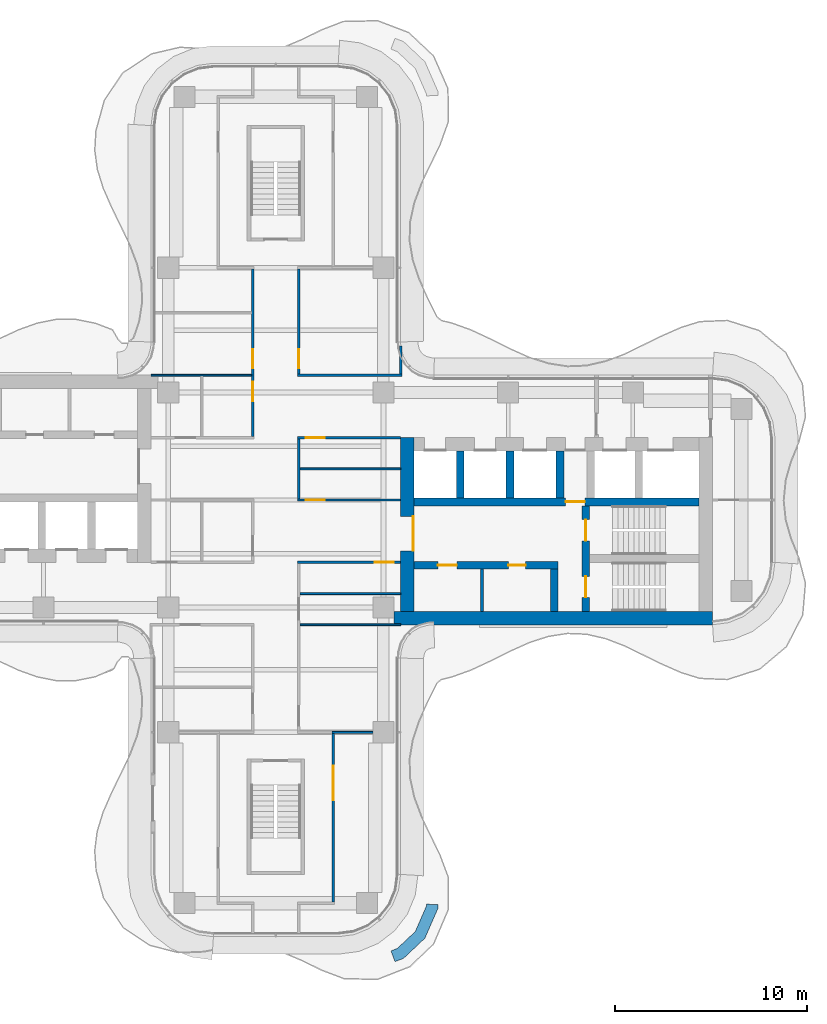
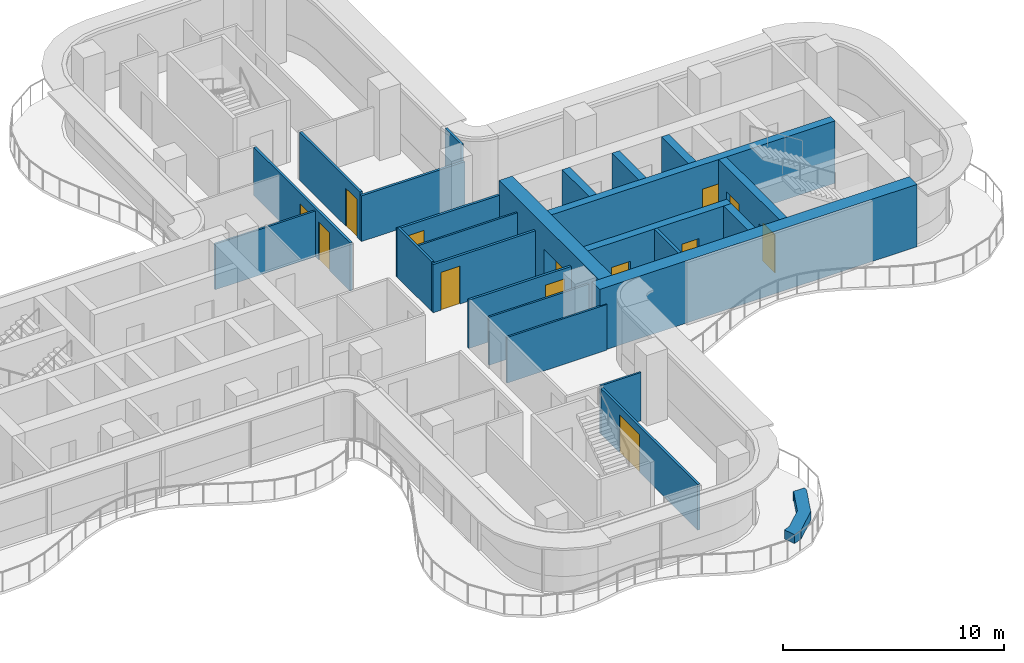
# One storey, part 12 of 16: 25 walls, 13 doors, 13 openings.
"""IFC4 building model written with IfcOpenShell, lengths in metres."""

from ifc_helpers import new_model, si_unit, direction, frame, frame_2d, origin, place, context, subcontext, project, spatial, polyline, rectangle, outline, extrude, source, transform, mapped, material, layer, layer_set, type_object, element, fill, save


model = new_model("IFC4")

# Units and contexts
model_context = context("Model", 3, precision=1e-05, world=origin(), true_north=direction((0.0, 1.0)))
body_context = subcontext(model_context, "Body", "Model", "MODEL_VIEW")
ifc_project = project(units=[si_unit("LENGTHUNIT", "METRE"), si_unit("AREAUNIT", "SQUARE_METRE"), si_unit("VOLUMEUNIT", "CUBIC_METRE"), si_unit("PLANEANGLEUNIT", "RADIAN"), si_unit("MASSUNIT", "GRAM", prefix="KILO")], contexts=[model_context])

# Site, building, storey
site_placement = place(None, origin())
site = spatial("IfcSite", under=ifc_project, at=site_placement, CompositionType="ELEMENT")
building_placement = place(site_placement, origin())
building = spatial("IfcBuilding", under=site, at=building_placement, Name="Trellis Farm Tower", CompositionType="ELEMENT")
storey_placement = place(building_placement, frame((0.0, 0.0, 267.5)))
storey = spatial("IfcBuildingStorey", under=building, at=storey_placement, Name="L60", CompositionType="ELEMENT", Elevation=267.5)

# Wall
ifc_material_1 = material(Name="Sandstone faced masonry planter", Category="masonry")
ifc_layer_1 = layer(ifc_material_1, 0.60009765625)
ifc_layer_set_1 = layer_set([ifc_layer_1], Name="PLANTER BED 600")
wall_type_1 = type_object("IfcWallType", Name="PLANTER BED 600", PredefinedType="USERDEFINED", material=ifc_layer_set_1)
wall_1_placement = place(storey_placement, origin())
element("IfcWall", 1, at=wall_1_placement, inside=storey, type_object=wall_type_1, Name="PLANTER bed", ObjectType="PLANTER", PredefinedType="USERDEFINED", context=body_context, shape_type="SweptSolid", body=[
    extrude(outline(polyline([(7.76513671875, -22.828857421875), (6.65087890625, -23.87939453125), (6.210205078125, -24.047119140625), (5.996826171875, -23.486328125), (6.325927734375, -23.361083984375), (7.264404296875, -22.476318359375), (7.848876953125, -21.14208984375), (7.84912109375, -21.05712890625), (8.448974609375, -21.058349609375), (8.448486328125, -21.268310546875), (7.76513671875, -22.828857421875)])), origin(), (0.0, 0.0, 1.0), 0.5),
])

# Wall, opening, door
ifc_material_2 = material(Name="Concrete C60/75", Category="concrete")
ifc_layer_2 = layer(ifc_material_2, 0.699951171875)
ifc_layer_set_2 = layer_set([ifc_layer_2], Name="CORE OUTER WALL 700 CONCRETE C60/75")
wall_type_2 = type_object("IfcWallType", Name="CORE OUTER WALL 700 CONCRETE C60/75", PredefinedType="SHEAR", material=ifc_layer_set_2)
shared_shape_1 = source(origin(), body_context, "Body", "SweptSolid", [
    extrude(rectangle(XDim=9.050048828125, YDim=0.699951171875, at=frame_2d((4.52490234375, 0.0))), origin(), (0.0, 0.0, 1.0), 3.449951171875),
])
wall_2_placement = place(storey_placement, frame((6.85009765625, -5.800048828125, 0.0), z_axis=(0.0, 0.0, 1.0), x_axis=(0.0, 1.0, 0.0)))
wall_2 = element("IfcWall", 2, at=wall_2_placement, inside=storey, type_object=wall_type_2, Name="Core wall", PredefinedType="SHEAR", context=body_context, shape_type="MappedRepresentation", body=[
    mapped(shared_shape_1, transform((0.0, 0.0, 0.0))),
])
shared_shape_2 = source(origin(), body_context, "Body", "SweptSolid", [
    extrude(rectangle(XDim=1.800048828125, YDim=2.10009765625, at=frame_2d((0.89990234375, 1.050048828125))), frame((0.0, 0.360107421875, 0.0), z_axis=(0.0, -1.0, 0.0), x_axis=(1.0, 0.0, 0.0)), (0.0, 0.0, 1.0), 0.72021484375),
])
opening_1_placement = place(wall_2_placement, frame((3.14990234375, 0.0, 0.0)))
opening_1 = element("IfcOpeningElement", 3, at=opening_1_placement, cuts=wall_2, Name="Opening DC1", PredefinedType="OPENING", context=body_context, shape_type="MappedRepresentation", body=[
    mapped(shared_shape_2, transform((0.0, 0.0, 0.0))),
])
ifc_material_3 = material(Name="Steel", Category="steel")
door_type_1 = type_object("IfcDoorType", Name="CORE FIRE DOOR DOUBLE 1800 X 2100", OperationType="DOUBLE_DOOR_SINGLE_SWING", PredefinedType="DOOR", material=ifc_material_3)
shared_shape_3 = source(origin(), body_context, "Body", "SweptSolid", [
    extrude(rectangle(XDim=1.800048828125, YDim=2.10009765625, at=frame_2d((0.89990234375, 1.050048828125))), frame((0.0, -0.27490234375, 0.0), z_axis=(0.0, -1.0, 0.0), x_axis=(1.0, 0.0, 0.0)), (0.0, 0.0, 1.0), 0.050048828125),
])
door_1_placement = place(opening_1_placement, origin())
door_1 = element("IfcDoor", 4, at=door_1_placement, inside=storey, type_object=door_type_1, Name="Core door", OperationType="DOUBLE_DOOR_SINGLE_SWING", OverallHeight=2.10009765625, OverallWidth=1.800048828125, PredefinedType="DOOR", context=body_context, shape_type="MappedRepresentation", body=[
    mapped(shared_shape_3, transform((0.0, 0.0, 0.0))),
])
fill(opening_1, door_1)

# Walls
ifc_layer_3 = layer(ifc_material_2, 0.39990234375)
ifc_layer_set_3 = layer_set([ifc_layer_3], Name="CORE INNER WALL 400 CONCRETE C60/75")
wall_type_3 = type_object("IfcWallType", Name="CORE INNER WALL 400 CONCRETE C60/75", PredefinedType="SHEAR", material=ifc_layer_set_3)
shared_shape_4 = source(origin(), body_context, "Body", "SweptSolid", [
    extrude(rectangle(XDim=2.449951171875, YDim=0.39990234375, at=frame_2d((1.22509765625, 0.0))), origin(), (0.0, 0.0, 1.0), 3.449951171875),
])
for number, where, z_axis, x_axis, name in (
    (5, (9.60009765625, 0.10009765625, 0.0), (0.0, 0.0, 1.0), (0.0, 1.0, 0.0), "Core wall"),
    (6, (12.199951171875, 0.10009765625, 0.0), (0.0, 0.0, 1.0), (0.0, 1.0, 0.0), "Core wall"),
    (7, (14.800048828125, 0.10009765625, 0.0), (0.0, 0.0, 1.0), (0.0, 1.0, 0.0), "Core wall"),
):
    element("IfcWall", number, at=place(storey_placement, frame(where, z_axis=z_axis, x_axis=x_axis)), inside=storey, type_object=wall_type_3, Name=name, PredefinedType="SHEAR", context=body_context, shape_type="MappedRepresentation", body=[
        mapped(shared_shape_4, transform((0.0, 0.0, 0.0))),
    ])

# Wall, openings, doors
shared_shape_5 = source(origin(), body_context, "Body", "SweptSolid", [
    extrude(rectangle(XDim=7.5, YDim=0.39990234375, at=frame_2d((3.75, 0.0))), origin(), (0.0, 0.0, 1.0), 3.449951171875),
])
wall_3_placement = place(storey_placement, frame((7.199951171875, -3.39990234375, 0.0), z_axis=(0.0, 0.0, 1.0), x_axis=(1.0, 0.0, 0.0)))
wall_3 = element("IfcWall", 8, at=wall_3_placement, inside=storey, type_object=wall_type_3, Name="Core wall", PredefinedType="SHEAR", context=body_context, shape_type="MappedRepresentation", body=[
    mapped(shared_shape_5, transform((0.0, 0.0, 0.0))),
])
shared_shape_6 = source(origin(), body_context, "Body", "SweptSolid", [
    extrude(rectangle(XDim=1.0, YDim=2.10009765625, at=frame_2d((0.5, 1.050048828125))), frame((0.0, 0.2099609375, 0.0), z_axis=(0.0, -1.0, 0.0), x_axis=(1.0, 0.0, 0.0)), (0.0, 0.0, 1.0), 0.419921875),
])
opening_2_placement = place(wall_3_placement, frame((1.237548828125, 0.0, 0.0)))
opening_2 = element("IfcOpeningElement", 9, at=opening_2_placement, cuts=wall_3, Name="Opening DC55", PredefinedType="OPENING", context=body_context, shape_type="MappedRepresentation", body=[
    mapped(shared_shape_6, transform((0.0, 0.0, 0.0))),
])
shared_shape_7 = source(origin(), body_context, "Body", "SweptSolid", [
    extrude(rectangle(XDim=0.89990234375, YDim=2.10009765625, at=frame_2d((0.449951171875, 1.050048828125))), frame((0.0, 0.2099609375, 0.0), z_axis=(0.0, -1.0, 0.0), x_axis=(1.0, 0.0, 0.0)), (0.0, 0.0, 1.0), 0.419921875),
])
opening_3_placement = place(wall_3_placement, frame((4.91259765625, 0.0, 0.0)))
opening_3 = element("IfcOpeningElement", 10, at=opening_3_placement, cuts=wall_3, Name="Opening DC60", PredefinedType="OPENING", context=body_context, shape_type="MappedRepresentation", body=[
    mapped(shared_shape_7, transform((0.0, 0.0, 0.0))),
])
door_type_2 = type_object("IfcDoorType", Name="CORE FIRE DOOR 1000 X 2100", OperationType="NOTDEFINED", PredefinedType="DOOR", material=ifc_material_3)
shared_shape_8 = source(origin(), body_context, "Body", "SweptSolid", [
    extrude(rectangle(XDim=1.0, YDim=2.10009765625, at=frame_2d((0.5, 1.050048828125))), frame((0.0, 0.02490234375, 0.0), z_axis=(0.0, -1.0, 0.0), x_axis=(1.0, 0.0, 0.0)), (0.0, 0.0, 1.0), 0.050048828125),
])
door_2_placement = place(opening_2_placement, origin())
door_2 = element("IfcDoor", 11, at=door_2_placement, inside=storey, type_object=door_type_2, Name="Core door", OperationType="SINGLE_SWING_LEFT", OverallHeight=2.10009765625, OverallWidth=1.0, PredefinedType="DOOR", context=body_context, shape_type="MappedRepresentation", body=[
    mapped(shared_shape_8, transform((0.0, 0.0, 0.0))),
])
fill(opening_2, door_2)
door_type_3 = type_object("IfcDoorType", Name="CORE FIRE DOOR 900 X 2100", OperationType="NOTDEFINED", PredefinedType="DOOR", material=ifc_material_3)
shared_shape_9 = source(origin(), body_context, "Body", "SweptSolid", [
    extrude(rectangle(XDim=0.89990234375, YDim=2.10009765625, at=frame_2d((0.449951171875, 1.050048828125))), frame((0.0, 0.02490234375, 0.0), z_axis=(0.0, -1.0, 0.0), x_axis=(1.0, 0.0, 0.0)), (0.0, 0.0, 1.0), 0.050048828125),
])
door_3_placement = place(opening_3_placement, origin())
door_3 = element("IfcDoor", 12, at=door_3_placement, inside=storey, type_object=door_type_3, Name="Core door", OperationType="SINGLE_SWING_RIGHT", OverallHeight=2.10009765625, OverallWidth=0.89990234375, PredefinedType="DOOR", context=body_context, shape_type="MappedRepresentation", body=[
    mapped(shared_shape_9, transform((0.0, 0.0, 0.0))),
])
fill(opening_3, door_3)

# Wall, opening, door
shared_shape_10 = source(origin(), body_context, "Body", "SweptSolid", [
    extrude(rectangle(XDim=14.85009765625, YDim=0.39990234375, at=frame_2d((7.425048828125, 0.0))), origin(), (0.0, 0.0, 1.0), 3.449951171875),
])
wall_4_placement = place(storey_placement, frame((7.199951171875, -0.10009765625, 0.0), z_axis=(0.0, 0.0, 1.0), x_axis=(1.0, 0.0, 0.0)))
wall_4 = element("IfcWall", 13, at=wall_4_placement, inside=storey, type_object=wall_type_3, Name="Core wall", PredefinedType="SHEAR", context=body_context, shape_type="MappedRepresentation", body=[
    mapped(shared_shape_10, transform((0.0, 0.0, 0.0))),
])
opening_4_placement = place(wall_4_placement, frame((7.89990234375, 0.0, 0.0)))
opening_4 = element("IfcOpeningElement", 14, at=opening_4_placement, cuts=wall_4, Name="Opening DC5", PredefinedType="OPENING", context=body_context, shape_type="MappedRepresentation", body=[
    mapped(shared_shape_6, transform((0.0, 0.0, 0.0))),
])
door_4_placement = place(opening_4_placement, origin())
door_4 = element("IfcDoor", 15, at=door_4_placement, inside=storey, type_object=door_type_2, Name="Core door", OperationType="SINGLE_SWING_RIGHT", OverallHeight=2.10009765625, OverallWidth=1.0, PredefinedType="DOOR", context=body_context, shape_type="MappedRepresentation", body=[
    mapped(shared_shape_8, transform((0.0, 0.0, 0.0))),
])
fill(opening_4, door_4)

# Wall, openings, doors
shared_shape_11 = source(origin(), body_context, "Body", "SweptSolid", [
    extrude(rectangle(XDim=5.5, YDim=0.39990234375, at=frame_2d((2.75, 0.0))), origin(), (0.0, 0.0, 1.0), 3.449951171875),
])
wall_5_placement = place(storey_placement, frame((16.14990234375, -5.800048828125, 0.0), z_axis=(0.0, 0.0, 1.0), x_axis=(0.0, 1.0, 0.0)))
wall_5 = element("IfcWall", 16, at=wall_5_placement, inside=storey, type_object=wall_type_3, Name="Core wall", PredefinedType="SHEAR", context=body_context, shape_type="MappedRepresentation", body=[
    mapped(shared_shape_11, transform((0.0, 0.0, 0.0))),
])
shared_shape_12 = source(origin(), body_context, "Body", "SweptSolid", [
    extrude(rectangle(XDim=1.10009765625, YDim=2.10009765625, at=frame_2d((0.550048828125, 1.050048828125))), frame((0.0, 0.2099609375, 0.0), z_axis=(0.0, -1.0, 0.0), x_axis=(1.0, 0.0, 0.0)), (0.0, 0.0, 1.0), 0.419921875),
])
opening_5_placement = place(wall_5_placement, frame((0.72509765625, 0.0, 0.0)))
opening_5 = element("IfcOpeningElement", 17, at=opening_5_placement, cuts=wall_5, Name="Opening DC2", PredefinedType="OPENING", context=body_context, shape_type="MappedRepresentation", body=[
    mapped(shared_shape_12, transform((0.0, 0.0, 0.0))),
])
opening_6_placement = place(wall_5_placement, frame((3.675048828125, 0.0, 0.0)))
opening_6 = element("IfcOpeningElement", 18, at=opening_6_placement, cuts=wall_5, Name="Opening DC3", PredefinedType="OPENING", context=body_context, shape_type="MappedRepresentation", body=[
    mapped(shared_shape_12, transform((0.0, 0.0, 0.0))),
])
door_type_4 = type_object("IfcDoorType", Name="CORE FIRE DOOR 1100 X 2100", OperationType="NOTDEFINED", PredefinedType="DOOR", material=ifc_material_3)
shared_shape_13 = source(origin(), body_context, "Body", "SweptSolid", [
    extrude(rectangle(XDim=1.10009765625, YDim=2.10009765625, at=frame_2d((0.550048828125, 1.050048828125))), frame((0.0, 0.02490234375, 0.0), z_axis=(0.0, -1.0, 0.0), x_axis=(1.0, 0.0, 0.0)), (0.0, 0.0, 1.0), 0.050048828125),
])
door_5_placement = place(opening_5_placement, origin())
door_5 = element("IfcDoor", 19, at=door_5_placement, inside=storey, type_object=door_type_4, Name="Core door", OperationType="SINGLE_SWING_RIGHT", OverallHeight=2.10009765625, OverallWidth=1.10009765625, PredefinedType="DOOR", context=body_context, shape_type="MappedRepresentation", body=[
    mapped(shared_shape_13, transform((0.0, 0.0, 0.0))),
])
fill(opening_5, door_5)
door_6_placement = place(opening_6_placement, origin())
door_6 = element("IfcDoor", 20, at=door_6_placement, inside=storey, type_object=door_type_4, Name="Core door", OperationType="SINGLE_SWING_LEFT", OverallHeight=2.10009765625, OverallWidth=1.10009765625, PredefinedType="DOOR", context=body_context, shape_type="MappedRepresentation", body=[
    mapped(shared_shape_13, transform((0.0, 0.0, 0.0))),
])
fill(opening_6, door_6)

# Walls
shared_shape_14 = source(origin(), body_context, "Body", "SweptSolid", [
    extrude(rectangle(XDim=2.199951171875, YDim=0.39990234375, at=frame_2d((1.10009765625, 0.0))), origin(), (0.0, 0.0, 1.0), 3.449951171875),
])
wall_6_placement = place(storey_placement, frame((14.5, -5.800048828125, 0.0), z_axis=(0.0, 0.0, 1.0), x_axis=(0.0, 1.0, 0.0)))
element("IfcWall", 21, at=wall_6_placement, inside=storey, type_object=wall_type_3, Name="Core wall", PredefinedType="SHEAR", context=body_context, shape_type="MappedRepresentation", body=[
    mapped(shared_shape_14, transform((0.0, 0.0, 0.0))),
])
ifc_material_4 = material(Name="Masonry blockwork", Category="masonry")
ifc_layer_4 = layer(ifc_material_4, 0.14990234375)
ifc_layer_set_4 = layer_set([ifc_layer_4], Name="CORE PARTITION 150 BLOCKWORK")
wall_type_4 = type_object("IfcWallType", Name="CORE PARTITION 150 BLOCKWORK", PredefinedType="PARTITIONING", material=ifc_layer_set_4)
shared_shape_15 = source(origin(), body_context, "Body", "SweptSolid", [
    extrude(rectangle(XDim=2.199951171875, YDim=0.14990234375, at=frame_2d((1.10009765625, 0.0))), origin(), (0.0, 0.0, 1.0), 3.449951171875),
])
wall_7_placement = place(storey_placement, frame((10.75, -5.800048828125, 0.0), z_axis=(0.0, 0.0, 1.0), x_axis=(0.0, 1.0, 0.0)))
element("IfcWall", 22, at=wall_7_placement, inside=storey, type_object=wall_type_4, Name="Core room partition", PredefinedType="PARTITIONING", context=body_context, shape_type="MappedRepresentation", body=[
    mapped(shared_shape_15, transform((0.0, 0.0, 0.0))),
])
shared_shape_16 = source(origin(), body_context, "Body", "SweptSolid", [
    extrude(rectangle(XDim=16.60009765625, YDim=0.699951171875, at=frame_2d((8.300048828125, 0.0))), origin(), (0.0, 0.0, 1.0), 3.449951171875),
])
wall_8_placement = place(storey_placement, frame((6.14990234375, -6.14990234375, 0.0), z_axis=(0.0, 0.0, 1.0), x_axis=(1.0, 0.0, 0.0)))
element("IfcWall", 23, at=wall_8_placement, inside=storey, type_object=wall_type_2, Name="Core wall", PredefinedType="SHEAR", context=body_context, shape_type="MappedRepresentation", body=[
    mapped(shared_shape_16, transform((0.0, 0.0, 0.0))),
])

# Wall, opening, door
ifc_material_5 = material(Name="Plasterboard on steel studs, mineral wool", Category="steel")
ifc_layer_5 = layer(ifc_material_5, 0.125)
ifc_layer_set_5 = layer_set([ifc_layer_5], Name="PARTITION 125 STUD EI 60")
wall_type_5 = type_object("IfcWallType", Name="PARTITION 125 STUD EI 60", PredefinedType="PARTITIONING", material=ifc_layer_set_5)
shared_shape_17 = source(origin(), body_context, "Body", "SweptSolid", [
    extrude(rectangle(XDim=5.47509765625, YDim=0.125, at=frame_2d((2.737548828125, 0.0))), origin(), (0.0, 0.0, 1.0), 2.667724609375),
])
wall_9_placement = place(storey_placement, frame((1.199951171875, 12.03759765625, 0.0), z_axis=(0.0, 0.0, 1.0), x_axis=(0.0, -1.0, 0.0)))
wall_9 = element("IfcWall", 24, at=wall_9_placement, inside=storey, type_object=wall_type_5, Name="Partition PW1", PredefinedType="PARTITIONING", context=body_context, shape_type="MappedRepresentation", body=[
    mapped(shared_shape_17, transform((0.0, 0.0, 0.0))),
])
shared_shape_18 = source(origin(), body_context, "Body", "SweptSolid", [
    extrude(rectangle(XDim=1.0, YDim=2.10009765625, at=frame_2d((0.5, 1.050048828125))), frame((0.0, 0.072509765625, 0.0), z_axis=(0.0, -1.0, 0.0), x_axis=(1.0, 0.0, 0.0)), (0.0, 0.0, 1.0), 0.14501953125),
])
opening_7_placement = place(wall_9_placement, frame((4.1875, 0.0, 0.0)))
opening_7 = element("IfcOpeningElement", 25, at=opening_7_placement, cuts=wall_9, Name="Opening D116", PredefinedType="OPENING", context=body_context, shape_type="MappedRepresentation", body=[
    mapped(shared_shape_18, transform((0.0, 0.0, 0.0))),
])
ifc_material_6 = material(Name="Fire-rated timber door leaf in a hollow metal frame", Category="wood")
door_type_5 = type_object("IfcDoorType", Name="DOOR 1000x2100 FD30S", OperationType="NOTDEFINED", PredefinedType="DOOR", material=ifc_material_6)
door_7_placement = place(opening_7_placement, origin())
door_7 = element("IfcDoor", 26, at=door_7_placement, inside=storey, type_object=door_type_5, Name="Door D116", OperationType="SINGLE_SWING_RIGHT", OverallHeight=2.10009765625, OverallWidth=1.0, PredefinedType="DOOR", context=body_context, shape_type="MappedRepresentation", body=[
    mapped(shared_shape_8, transform((0.0, 0.0, 0.0))),
])
fill(opening_7, door_7)

# Wall
shared_shape_19 = source(origin(), body_context, "Body", "SweptSolid", [
    extrude(rectangle(XDim=1.468994140625, YDim=0.125, at=frame_2d((0.734375, 0.0))), origin(), (0.0, 0.0, 1.0), 3.449951171875),
])
wall_10_placement = place(storey_placement, frame((6.5, 6.5625, 0.0), z_axis=(0.0, 0.0, 1.0), x_axis=(0.0, 1.0, 0.0)))
element("IfcWall", 27, at=wall_10_placement, inside=storey, type_object=wall_type_5, Name="Partition PW1", PredefinedType="PARTITIONING", context=body_context, shape_type="MappedRepresentation", body=[
    mapped(shared_shape_19, transform((0.0, 0.0, 0.0))),
])

# Wall, opening, door
shared_shape_20 = source(origin(), body_context, "Body", "SweptSolid", [
    extrude(rectangle(XDim=5.362548828125, YDim=0.125, at=frame_2d((2.68115234375, 0.0))), origin(), (0.0, 0.0, 1.0), 2.667724609375),
])
wall_11_placement = place(storey_placement, frame((6.5, -3.25, 0.0), z_axis=(0.0, 0.0, 1.0), x_axis=(-1.0, 0.0, 0.0)))
wall_11 = element("IfcWall", 28, at=wall_11_placement, inside=storey, type_object=wall_type_5, Name="Partition PW1", PredefinedType="PARTITIONING", context=body_context, shape_type="MappedRepresentation", body=[
    mapped(shared_shape_20, transform((0.0, 0.0, 0.0))),
])
opening_8_placement = place(wall_11_placement, frame((0.35009765625, 0.0, 0.0)))
opening_8 = element("IfcOpeningElement", 29, at=opening_8_placement, cuts=wall_11, Name="Opening D107", PredefinedType="OPENING", context=body_context, shape_type="MappedRepresentation", body=[
    mapped(shared_shape_18, transform((0.0, 0.0, 0.0))),
])
door_8_placement = place(opening_8_placement, origin())
door_8 = element("IfcDoor", 30, at=door_8_placement, inside=storey, type_object=door_type_5, Name="Door D107", OperationType="SINGLE_SWING_LEFT", OverallHeight=2.10009765625, OverallWidth=1.0, PredefinedType="DOOR", context=body_context, shape_type="MappedRepresentation", body=[
    mapped(shared_shape_8, transform((0.0, 0.0, 0.0))),
])
fill(opening_8, door_8)

wall_12_placement = place(storey_placement, frame((6.5, 0.0, 0.0), z_axis=(0.0, 0.0, 1.0), x_axis=(-1.0, 0.0, 0.0)))
wall_12 = element("IfcWall", 31, at=wall_12_placement, inside=storey, type_object=wall_type_5, Name="Partition PW1", PredefinedType="PARTITIONING", context=body_context, shape_type="MappedRepresentation", body=[
    mapped(shared_shape_20, transform((0.0, 0.0, 0.0))),
])
opening_9_placement = place(wall_12_placement, frame((3.949951171875, 0.0, 0.0)))
opening_9 = element("IfcOpeningElement", 32, at=opening_9_placement, cuts=wall_12, Name="Opening D109", PredefinedType="OPENING", context=body_context, shape_type="MappedRepresentation", body=[
    mapped(shared_shape_18, transform((0.0, 0.0, 0.0))),
])
door_9_placement = place(opening_9_placement, origin())
door_9 = element("IfcDoor", 33, at=door_9_placement, inside=storey, type_object=door_type_5, Name="Door D109", OperationType="SINGLE_SWING_RIGHT", OverallHeight=2.10009765625, OverallWidth=1.0, PredefinedType="DOOR", context=body_context, shape_type="MappedRepresentation", body=[
    mapped(shared_shape_8, transform((0.0, 0.0, 0.0))),
])
fill(opening_9, door_9)

wall_13_placement = place(storey_placement, frame((1.137451171875, 3.25, 0.0), z_axis=(0.0, 0.0, 1.0), x_axis=(1.0, 0.0, 0.0)))
wall_13 = element("IfcWall", 34, at=wall_13_placement, inside=storey, type_object=wall_type_5, Name="Partition PW1", PredefinedType="PARTITIONING", context=body_context, shape_type="MappedRepresentation", body=[
    mapped(shared_shape_20, transform((0.0, 0.0, 0.0))),
])
opening_10_placement = place(wall_13_placement, frame((0.41259765625, 0.0, 0.0)))
opening_10 = element("IfcOpeningElement", 35, at=opening_10_placement, cuts=wall_13, Name="Opening D112", PredefinedType="OPENING", context=body_context, shape_type="MappedRepresentation", body=[
    mapped(shared_shape_18, transform((0.0, 0.0, 0.0))),
])
door_10_placement = place(opening_10_placement, origin())
door_10 = element("IfcDoor", 36, at=door_10_placement, inside=storey, type_object=door_type_5, Name="Door D112", OperationType="SINGLE_SWING_LEFT", OverallHeight=2.10009765625, OverallWidth=1.0, PredefinedType="DOOR", context=body_context, shape_type="MappedRepresentation", body=[
    mapped(shared_shape_8, transform((0.0, 0.0, 0.0))),
])
fill(opening_10, door_10)

shared_shape_21 = source(origin(), body_context, "Body", "SweptSolid", [
    extrude(rectangle(XDim=8.78759765625, YDim=0.125, at=frame_2d((4.393798828125, 0.0))), origin(), (0.0, 0.0, 1.0), 2.530029296875),
])
wall_14_placement = place(storey_placement, frame((3.0, -12.14990234375, 0.0), z_axis=(0.0, 0.0, 1.0), x_axis=(0.0, -1.0, 0.0)))
wall_14 = element("IfcWall", 37, at=wall_14_placement, inside=storey, type_object=wall_type_5, Name="Partition PW1", PredefinedType="PARTITIONING", context=body_context, shape_type="MappedRepresentation", body=[
    mapped(shared_shape_21, transform((0.0, 0.0, 0.0))),
])
shared_shape_22 = source(origin(), body_context, "Body", "SweptSolid", [
    extrude(rectangle(XDim=1.800048828125, YDim=2.10009765625, at=frame_2d((0.89990234375, 1.050048828125))), frame((0.0, 0.072509765625, 0.0), z_axis=(0.0, -1.0, 0.0), x_axis=(1.0, 0.0, 0.0)), (0.0, 0.0, 1.0), 0.14501953125),
])
opening_11_placement = place(wall_14_placement, frame((1.699951171875, 0.0, 0.0)))
opening_11 = element("IfcOpeningElement", 38, at=opening_11_placement, cuts=wall_14, Name="Opening D201", PredefinedType="OPENING", context=body_context, shape_type="MappedRepresentation", body=[
    mapped(shared_shape_22, transform((0.0, 0.0, 0.0))),
])
door_type_6 = type_object("IfcDoorType", Name="DOOR PAIR 1800x2100 FD30S", OperationType="NOTDEFINED", PredefinedType="DOOR", material=ifc_material_6)
shared_shape_23 = source(origin(), body_context, "Body", "SweptSolid", [
    extrude(rectangle(XDim=1.800048828125, YDim=2.10009765625, at=frame_2d((0.89990234375, 1.050048828125))), frame((0.0, 0.02490234375, 0.0), z_axis=(0.0, -1.0, 0.0), x_axis=(1.0, 0.0, 0.0)), (0.0, 0.0, 1.0), 0.050048828125),
])
door_11_placement = place(opening_11_placement, origin())
door_11 = element("IfcDoor", 39, at=door_11_placement, inside=storey, type_object=door_type_6, Name="Door D201", OperationType="DOUBLE_DOOR_SINGLE_SWING", OverallHeight=2.10009765625, OverallWidth=1.800048828125, PredefinedType="DOOR", context=body_context, shape_type="MappedRepresentation", body=[
    mapped(shared_shape_23, transform((0.0, 0.0, 0.0))),
])
fill(opening_11, door_11)

# Wall, openings, doors
shared_shape_24 = source(origin(), body_context, "Body", "SweptSolid", [
    extrude(rectangle(XDim=8.72509765625, YDim=0.125, at=frame_2d((4.362548828125, 0.0))), origin(), (0.0, 0.0, 1.0), 2.667724609375),
])
wall_15_placement = place(storey_placement, frame((-1.199951171875, 12.03759765625, 0.0), z_axis=(0.0, 0.0, 1.0), x_axis=(0.0, -1.0, 0.0)))
wall_15 = element("IfcWall", 40, at=wall_15_placement, inside=storey, type_object=wall_type_5, Name="Partition PW1", PredefinedType="PARTITIONING", context=body_context, shape_type="MappedRepresentation", body=[
    mapped(shared_shape_24, transform((0.0, 0.0, 0.0))),
])
opening_12_placement = place(wall_15_placement, frame((5.887451171875, 0.0, 0.0)))
opening_12 = element("IfcOpeningElement", 41, at=opening_12_placement, cuts=wall_15, Name="Opening D114", PredefinedType="OPENING", context=body_context, shape_type="MappedRepresentation", body=[
    mapped(shared_shape_18, transform((0.0, 0.0, 0.0))),
])
opening_13_placement = place(wall_15_placement, frame((4.1875, 0.0, 0.0)))
opening_13 = element("IfcOpeningElement", 42, at=opening_13_placement, cuts=wall_15, Name="Opening D115", PredefinedType="OPENING", context=body_context, shape_type="MappedRepresentation", body=[
    mapped(shared_shape_18, transform((0.0, 0.0, 0.0))),
])
door_12_placement = place(opening_12_placement, origin())
door_12 = element("IfcDoor", 43, at=door_12_placement, inside=storey, type_object=door_type_5, Name="Door D114", OperationType="SINGLE_SWING_LEFT", OverallHeight=2.10009765625, OverallWidth=1.0, PredefinedType="DOOR", context=body_context, shape_type="MappedRepresentation", body=[
    mapped(shared_shape_8, transform((0.0, 0.0, 0.0))),
])
fill(opening_12, door_12)
door_13_placement = place(opening_13_placement, origin())
door_13 = element("IfcDoor", 44, at=door_13_placement, inside=storey, type_object=door_type_5, Name="Door D115", OperationType="SINGLE_SWING_RIGHT", OverallHeight=2.10009765625, OverallWidth=1.0, PredefinedType="DOOR", context=body_context, shape_type="MappedRepresentation", body=[
    mapped(shared_shape_8, transform((0.0, 0.0, 0.0))),
])
fill(opening_13, door_13)

# Walls
shared_shape_25 = source(origin(), body_context, "Body", "SweptSolid", [
    extrude(rectangle(XDim=3.125, YDim=0.125, at=frame_2d((1.5625, 0.0))), origin(), (0.0, 0.0, 1.0), 2.74658203125),
])
wall_16_placement = place(storey_placement, frame((1.199951171875, 3.1875, 0.0), z_axis=(0.0, 0.0, 1.0), x_axis=(0.0, -1.0, 0.0)))
element("IfcWall", 45, at=wall_16_placement, inside=storey, type_object=wall_type_5, Name="Partition PW1", PredefinedType="PARTITIONING", context=body_context, shape_type="MappedRepresentation", body=[
    mapped(shared_shape_25, transform((0.0, 0.0, 0.0))),
])
ifc_material_7 = material(Name="Plasterboard on steel studs", Category="steel")
ifc_layer_6 = layer(ifc_material_7, 0.10009765625)
ifc_layer_set_6 = layer_set([ifc_layer_6], Name="PARTITION 100 STUD EI 30")
wall_type_6 = type_object("IfcWallType", Name="PARTITION 100 STUD EI 30", PredefinedType="PARTITIONING", material=ifc_layer_set_6)
shared_shape_26 = source(origin(), body_context, "Body", "SweptSolid", [
    extrude(rectangle(XDim=2.112548828125, YDim=0.10009765625, at=frame_2d((1.05615234375, 0.0))), origin(), (0.0, 0.0, 1.0), 2.667724609375),
])
wall_17_placement = place(storey_placement, frame((2.9375, -12.10009765625, 0.0), z_axis=(0.0, 0.0, 1.0), x_axis=(1.0, 0.0, 0.0)))
element("IfcWall", 46, at=wall_17_placement, inside=storey, type_object=wall_type_6, Name="Partition PW2", PredefinedType="PARTITIONING", context=body_context, shape_type="MappedRepresentation", body=[
    mapped(shared_shape_26, transform((0.0, 0.0, 0.0))),
])
shared_shape_27 = source(origin(), body_context, "Body", "SweptSolid", [
    extrude(rectangle(XDim=5.237548828125, YDim=0.10009765625, at=frame_2d((2.61865234375, 0.0))), origin(), (0.0, 0.0, 1.0), 2.667724609375),
])
for number, where, z_axis, x_axis, name in (
    (47, (1.262451171875, -4.875, 0.0), (0.0, 0.0, 1.0), (1.0, 0.0, 0.0), "Partition PW2"),
    (48, (1.262451171875, 1.625, 0.0), (0.0, 0.0, 1.0), (1.0, 0.0, 0.0), "Partition PW2"),
):
    element("IfcWall", number, at=place(storey_placement, frame(where, z_axis=z_axis, x_axis=x_axis)), inside=storey, type_object=wall_type_6, Name=name, PredefinedType="PARTITIONING", context=body_context, shape_type="MappedRepresentation", body=[
        mapped(shared_shape_27, transform((0.0, 0.0, 0.0))),
    ])
shared_shape_28 = source(origin(), body_context, "Body", "SweptSolid", [
    extrude(rectangle(XDim=5.237548828125, YDim=0.10009765625, at=frame_2d((2.61865234375, 0.0))), origin(), (0.0, 0.0, 1.0), 2.530029296875),
])
for number, where, z_axis, x_axis, name in (
    (49, (1.262451171875, -6.5, 0.0), (0.0, 0.0, 1.0), (1.0, 0.0, 0.0), "Partition PW2"),
    (50, (-6.5, 6.5, 0.0), (0.0, 0.0, 1.0), (1.0, 0.0, 0.0), "Partition PW2"),
):
    element("IfcWall", number, at=place(storey_placement, frame(where, z_axis=z_axis, x_axis=x_axis)), inside=storey, type_object=wall_type_6, Name=name, PredefinedType="PARTITIONING", context=body_context, shape_type="MappedRepresentation", body=[
        mapped(shared_shape_28, transform((0.0, 0.0, 0.0))),
    ])
shared_shape_29 = source(origin(), body_context, "Body", "SweptSolid", [
    extrude(rectangle(XDim=5.425048828125, YDim=0.125, at=frame_2d((2.71240234375, 0.0))), origin(), (0.0, 0.0, 1.0), 2.530029296875),
])
wall_18_placement = place(storey_placement, frame((1.137451171875, 6.5, 0.0), z_axis=(0.0, 0.0, 1.0), x_axis=(1.0, 0.0, 0.0)))
element("IfcWall", 51, at=wall_18_placement, inside=storey, type_object=wall_type_5, Name="Partition PW1", PredefinedType="PARTITIONING", context=body_context, shape_type="MappedRepresentation", body=[
    mapped(shared_shape_29, transform((0.0, 0.0, 0.0))),
])

save(model, "model.ifc")
